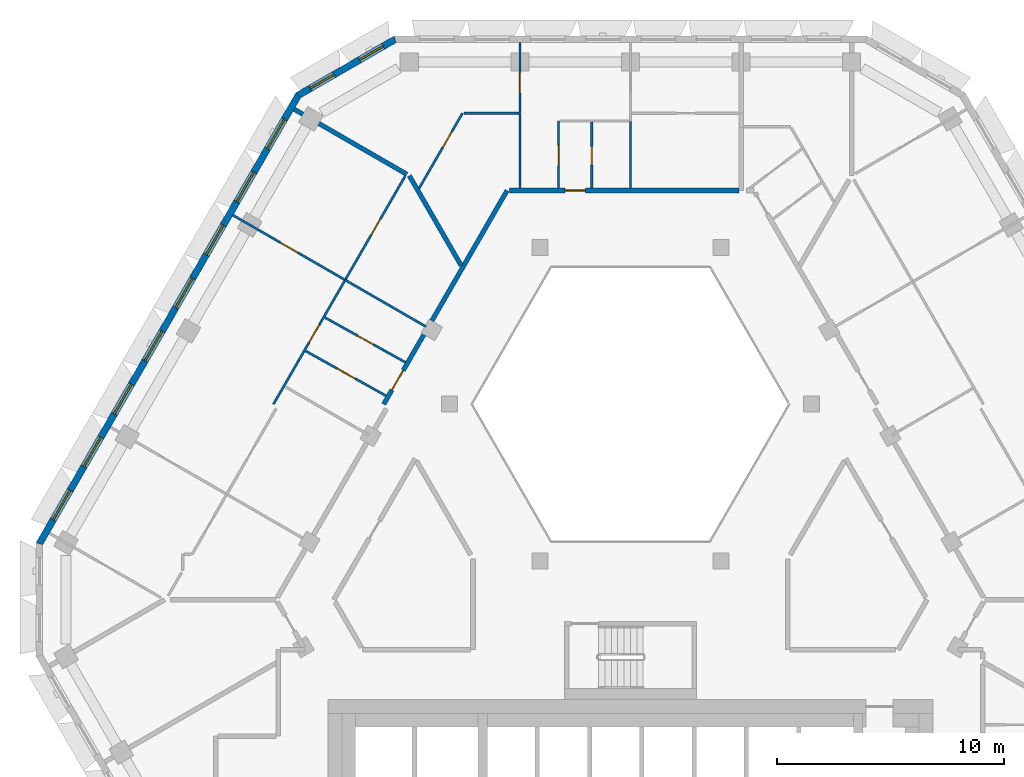
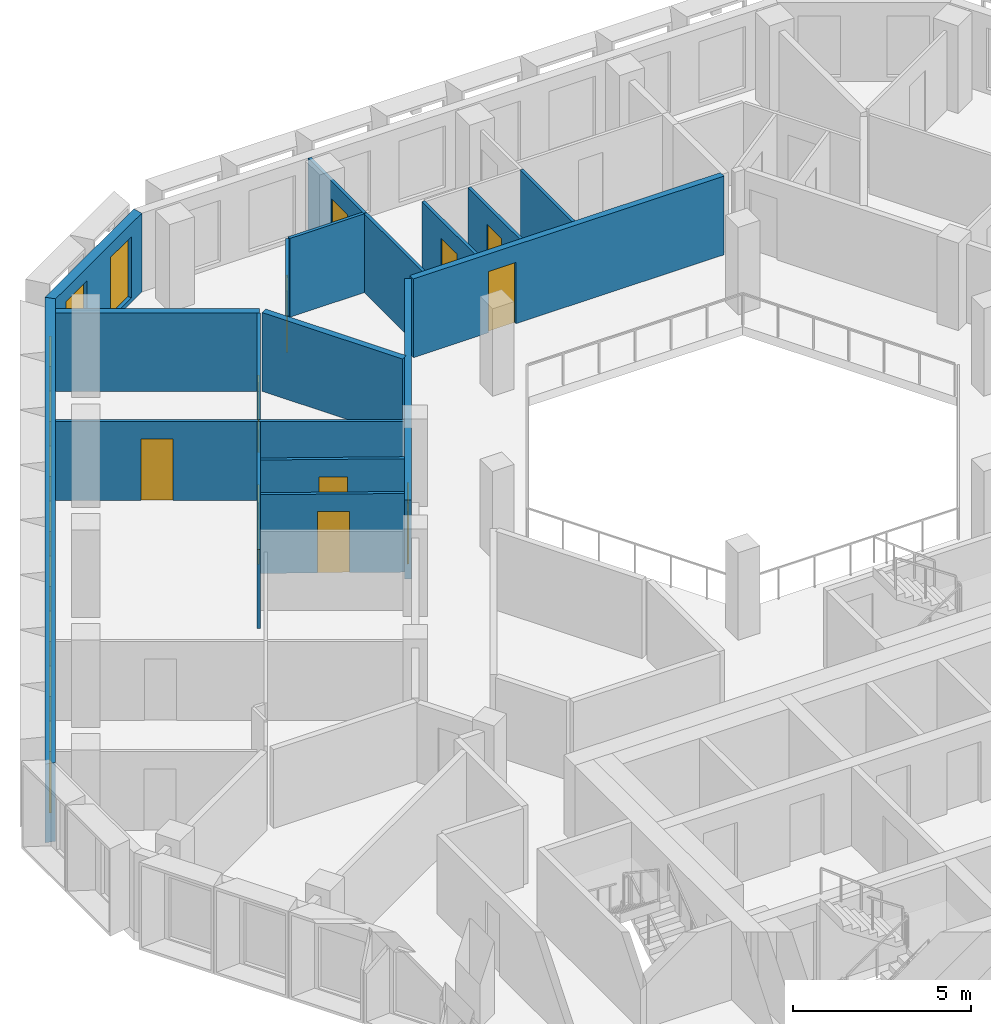
# One storey, part 7 of 17: 18 walls, 11 doors, 10 windows, 21 openings.
"""IFC4 building model written with IfcOpenShell, lengths in metres."""

from ifc_helpers import new_model, si_unit, direction, frame, frame_2d, origin, place, context, subcontext, project, spatial, polyline, rectangle, outline, extrude, material, layer, layer_set, type_object, element, fill, save


model = new_model("IFC4")

# Units and contexts
model_context = context("Model", 3, precision=1e-05, world=origin(), true_north=direction((0.0, 1.0)))
body_context = subcontext(model_context, "Body", "Model", "MODEL_VIEW")
ifc_project = project(units=[si_unit("LENGTHUNIT", "METRE"), si_unit("AREAUNIT", "SQUARE_METRE"), si_unit("VOLUMEUNIT", "CUBIC_METRE"), si_unit("PLANEANGLEUNIT", "RADIAN"), si_unit("MASSUNIT", "GRAM", prefix="KILO")], contexts=[model_context])

# Site, building, storey
site_placement = place(None, origin())
site = spatial("IfcSite", under=ifc_project, at=site_placement, CompositionType="ELEMENT")
building_placement = place(site_placement, origin())
building = spatial("IfcBuilding", under=site, at=building_placement, Name="Beryl Residences", CompositionType="ELEMENT")
storey_placement = place(building_placement, frame((0.0, 0.0, 166.199951171875)))
storey = spatial("IfcBuildingStorey", under=building, at=storey_placement, Name="L50", CompositionType="ELEMENT", Elevation=166.199951171875)

# Wall, openings, windows
ifc_material_1 = material(Name="Composite metal panel with mineral wool insulation")
ifc_layer_1 = layer(ifc_material_1, 0.300048828125)
ifc_layer_set_1 = layer_set([ifc_layer_1], Name="ES1 pale metal composite panel wall 300 mm")
wall_type_1 = type_object("IfcWallType", Name="ES1 pale metal composite panel wall 300 mm", PredefinedType="SOLIDWALL", material=ifc_layer_set_1)
wall_1_placement = place(storey_placement, frame((-10.31689453125, 24.070068359375, 0.0), z_axis=(0.0, 0.0, 1.0), x_axis=(-0.866022959057, -0.500004234368, 0.0)))
wall_1 = element("IfcWall", 1, at=wall_1_placement, inside=storey, type_object=wall_type_1, Name="ES1 external wall L50 N-NW", PredefinedType="SOLIDWALL", context=body_context, shape_type="SweptSolid", body=[
    extrude(outline(polyline([(0.0, -0.14990234375), (5.0, -0.14990234375), (4.919677734375, 0.14990234375), (0.080322265625, 0.14990234375), (0.0, -0.14990234375)])), origin(), (0.0, 0.0, 1.0), 2.699951171875),
])
opening_1_placement = place(wall_1_placement, frame((0.64990234375, 0.0, 0.14990234375)))
opening_1 = element("IfcOpeningElement", 2, at=opening_1_placement, cuts=wall_1, Name="Opening W2", PredefinedType="OPENING", context=body_context, shape_type="SweptSolid", body=[
    extrude(rectangle(XDim=1.199951171875, YDim=2.10009765625, at=frame_2d((0.60009765625, 1.050048828125))), frame((0.0, 0.159912109375, 0.0), z_axis=(0.0, -1.0, 0.0), x_axis=(1.0, 0.0, 0.0)), (0.0, 0.0, 1.0), 0.320068359375),
])
opening_2_placement = place(wall_1_placement, frame((3.14892578125, 0.0, 0.14990234375)))
opening_2 = element("IfcOpeningElement", 3, at=opening_2_placement, cuts=wall_1, Name="Opening W2", PredefinedType="OPENING", context=body_context, shape_type="SweptSolid", body=[
    extrude(rectangle(XDim=1.199951171875, YDim=2.10009765625, at=frame_2d((0.60009765625, 1.050048828125))), frame((0.0, 0.159912109375, 0.0), z_axis=(0.0, -1.0, 0.0), x_axis=(1.0, 0.0, 0.0)), (0.0, 0.0, 1.0), 0.320068359375),
])
ifc_material_2 = material(Name="Aluminium and clear glass", Category="aluminium")
window_type_1 = type_object("IfcWindowType", Name="W2 chamfer window 1200 x 2100 mm", PartitioningType="SINGLE_PANEL", PredefinedType="WINDOW", material=ifc_material_2)
window_1_placement = place(opening_1_placement, origin())
window_1 = element("IfcWindow", 4, at=window_1_placement, inside=storey, type_object=window_type_1, Name="W2 window L50 N-NW 1", OverallHeight=2.10009765625, OverallWidth=1.199951171875, PartitioningType="SINGLE_PANEL", PredefinedType="WINDOW", context=body_context, shape_type="SweptSolid", body=[
    extrude(rectangle(XDim=1.199951171875, YDim=2.10009765625, at=frame_2d((0.60009765625, 1.050048828125))), frame((0.0, 0.030029296875, 0.0), z_axis=(0.0, -1.0, 0.0), x_axis=(1.0, 0.0, 0.0)), (0.0, 0.0, 1.0), 0.06005859375),
])
fill(opening_1, window_1)
window_2_placement = place(opening_2_placement, origin())
window_2 = element("IfcWindow", 5, at=window_2_placement, inside=storey, type_object=window_type_1, Name="W2 window L50 N-NW 2", OverallHeight=2.10009765625, OverallWidth=1.199951171875, PartitioningType="SINGLE_PANEL", PredefinedType="WINDOW", context=body_context, shape_type="SweptSolid", body=[
    extrude(rectangle(XDim=1.199951171875, YDim=2.10009765625, at=frame_2d((0.60009765625, 1.050048828125))), frame((0.0, 0.030029296875, 0.0), z_axis=(0.0, -1.0, 0.0), x_axis=(1.0, 0.0, 0.0)), (0.0, 0.0, 1.0), 0.06005859375),
])
fill(opening_2, window_2)

wall_2_placement = place(storey_placement, frame((-14.592041015625, 21.625, 0.0), z_axis=(0.0, 0.0, 1.0), x_axis=(-0.500010537973, -0.866019319597, 0.0)))
wall_2 = element("IfcWall", 6, at=wall_2_placement, inside=storey, type_object=wall_type_1, Name="ES1 external wall L50 NW", PredefinedType="SOLIDWALL", context=body_context, shape_type="SweptSolid", body=[
    extrude(outline(polyline([(0.0, -0.14990234375), (22.86328125, -0.14990234375), (22.782958984375, 0.14990234375), (0.080322265625, 0.14990234375), (0.0, -0.14990234375)])), origin(), (0.0, 0.0, 1.0), 2.699951171875),
])
opening_3_placement = place(wall_2_placement, frame((1.259033203125, 0.0, 0.14990234375)))
opening_3 = element("IfcOpeningElement", 7, at=opening_3_placement, cuts=wall_2, Name="Opening W1", PredefinedType="OPENING", context=body_context, shape_type="SweptSolid", body=[
    extrude(rectangle(XDim=1.5, YDim=2.10009765625, at=frame_2d((0.75, 1.050048828125))), frame((0.0, 0.159912109375, 0.0), z_axis=(0.0, -1.0, 0.0), x_axis=(1.0, 0.0, 0.0)), (0.0, 0.0, 1.0), 0.320068359375),
])
opening_4_placement = place(wall_2_placement, frame((3.951904296875, 0.0, 0.14990234375)))
opening_4 = element("IfcOpeningElement", 8, at=opening_4_placement, cuts=wall_2, Name="Opening W1", PredefinedType="OPENING", context=body_context, shape_type="SweptSolid", body=[
    extrude(rectangle(XDim=1.5, YDim=2.10009765625, at=frame_2d((0.75, 1.050048828125))), frame((0.0, 0.159912109375, 0.0), z_axis=(0.0, -1.0, 0.0), x_axis=(1.0, 0.0, 0.0)), (0.0, 0.0, 1.0), 0.320068359375),
])
opening_5_placement = place(wall_2_placement, frame((6.64404296875, 0.0, 0.14990234375)))
opening_5 = element("IfcOpeningElement", 9, at=opening_5_placement, cuts=wall_2, Name="Opening W1", PredefinedType="OPENING", context=body_context, shape_type="SweptSolid", body=[
    extrude(rectangle(XDim=1.5, YDim=2.10009765625, at=frame_2d((0.75, 1.050048828125))), frame((0.0, 0.159912109375, 0.0), z_axis=(0.0, -1.0, 0.0), x_axis=(1.0, 0.0, 0.0)), (0.0, 0.0, 1.0), 0.320068359375),
])
opening_6_placement = place(wall_2_placement, frame((9.3349609375, 0.0, 0.14990234375)))
opening_6 = element("IfcOpeningElement", 10, at=opening_6_placement, cuts=wall_2, Name="Opening W1", PredefinedType="OPENING", context=body_context, shape_type="SweptSolid", body=[
    extrude(rectangle(XDim=1.5, YDim=2.10009765625, at=frame_2d((0.75, 1.050048828125))), frame((0.0, 0.159912109375, 0.0), z_axis=(0.0, -1.0, 0.0), x_axis=(1.0, 0.0, 0.0)), (0.0, 0.0, 1.0), 0.320068359375),
])
opening_7_placement = place(wall_2_placement, frame((12.028076171875, 0.0, 0.14990234375)))
opening_7 = element("IfcOpeningElement", 11, at=opening_7_placement, cuts=wall_2, Name="Opening W1", PredefinedType="OPENING", context=body_context, shape_type="SweptSolid", body=[
    extrude(rectangle(XDim=1.5, YDim=2.10009765625, at=frame_2d((0.75, 1.050048828125))), frame((0.0, 0.159912109375, 0.0), z_axis=(0.0, -1.0, 0.0), x_axis=(1.0, 0.0, 0.0)), (0.0, 0.0, 1.0), 0.320068359375),
])
opening_8_placement = place(wall_2_placement, frame((14.719970703125, 0.0, 0.14990234375)))
opening_8 = element("IfcOpeningElement", 12, at=opening_8_placement, cuts=wall_2, Name="Opening W1", PredefinedType="OPENING", context=body_context, shape_type="SweptSolid", body=[
    extrude(rectangle(XDim=1.5, YDim=2.10009765625, at=frame_2d((0.75, 1.050048828125))), frame((0.0, 0.159912109375, 0.0), z_axis=(0.0, -1.0, 0.0), x_axis=(1.0, 0.0, 0.0)), (0.0, 0.0, 1.0), 0.320068359375),
])
opening_9_placement = place(wall_2_placement, frame((17.410888671875, 0.0, 0.14990234375)))
opening_9 = element("IfcOpeningElement", 13, at=opening_9_placement, cuts=wall_2, Name="Opening W1", PredefinedType="OPENING", context=body_context, shape_type="SweptSolid", body=[
    extrude(rectangle(XDim=1.5, YDim=2.10009765625, at=frame_2d((0.75, 1.050048828125))), frame((0.0, 0.159912109375, 0.0), z_axis=(0.0, -1.0, 0.0), x_axis=(1.0, 0.0, 0.0)), (0.0, 0.0, 1.0), 0.320068359375),
])
opening_10_placement = place(wall_2_placement, frame((20.10400390625, 0.0, 0.14990234375)))
opening_10 = element("IfcOpeningElement", 14, at=opening_10_placement, cuts=wall_2, Name="Opening W1", PredefinedType="OPENING", context=body_context, shape_type="SweptSolid", body=[
    extrude(rectangle(XDim=1.5, YDim=2.10009765625, at=frame_2d((0.75, 1.050048828125))), frame((0.0, 0.159912109375, 0.0), z_axis=(0.0, -1.0, 0.0), x_axis=(1.0, 0.0, 0.0)), (0.0, 0.0, 1.0), 0.320068359375),
])
ifc_material_3 = material(Name="Aluminium and clear glass", Category="aluminium")
window_type_2 = type_object("IfcWindowType", Name="W1 cell window 1500 x 2100 mm", PartitioningType="SINGLE_PANEL", PredefinedType="WINDOW", material=ifc_material_3)
window_3_placement = place(opening_3_placement, origin())
window_3 = element("IfcWindow", 15, at=window_3_placement, inside=storey, type_object=window_type_2, Name="W1 window L50 NW 1", OverallHeight=2.10009765625, OverallWidth=1.5, PartitioningType="SINGLE_PANEL", PredefinedType="WINDOW", context=body_context, shape_type="SweptSolid", body=[
    extrude(rectangle(XDim=1.5, YDim=2.10009765625, at=frame_2d((0.75, 1.050048828125))), frame((0.0, 0.030029296875, 0.0), z_axis=(0.0, -1.0, 0.0), x_axis=(1.0, 0.0, 0.0)), (0.0, 0.0, 1.0), 0.06005859375),
])
fill(opening_3, window_3)
window_4_placement = place(opening_4_placement, origin())
window_4 = element("IfcWindow", 16, at=window_4_placement, inside=storey, type_object=window_type_2, Name="W1 window L50 NW 2", OverallHeight=2.10009765625, OverallWidth=1.5, PartitioningType="SINGLE_PANEL", PredefinedType="WINDOW", context=body_context, shape_type="SweptSolid", body=[
    extrude(rectangle(XDim=1.5, YDim=2.10009765625, at=frame_2d((0.75, 1.050048828125))), frame((0.0, 0.030029296875, 0.0), z_axis=(0.0, -1.0, 0.0), x_axis=(1.0, 0.0, 0.0)), (0.0, 0.0, 1.0), 0.06005859375),
])
fill(opening_4, window_4)
window_5_placement = place(opening_5_placement, origin())
window_5 = element("IfcWindow", 17, at=window_5_placement, inside=storey, type_object=window_type_2, Name="W1 window L50 NW 3", OverallHeight=2.10009765625, OverallWidth=1.5, PartitioningType="SINGLE_PANEL", PredefinedType="WINDOW", context=body_context, shape_type="SweptSolid", body=[
    extrude(rectangle(XDim=1.5, YDim=2.10009765625, at=frame_2d((0.75, 1.050048828125))), frame((0.0, 0.030029296875, 0.0), z_axis=(0.0, -1.0, 0.0), x_axis=(1.0, 0.0, 0.0)), (0.0, 0.0, 1.0), 0.06005859375),
])
fill(opening_5, window_5)
window_6_placement = place(opening_6_placement, origin())
window_6 = element("IfcWindow", 18, at=window_6_placement, inside=storey, type_object=window_type_2, Name="W1 window L50 NW 4", OverallHeight=2.10009765625, OverallWidth=1.5, PartitioningType="SINGLE_PANEL", PredefinedType="WINDOW", context=body_context, shape_type="SweptSolid", body=[
    extrude(rectangle(XDim=1.5, YDim=2.10009765625, at=frame_2d((0.75, 1.050048828125))), frame((0.0, 0.030029296875, 0.0), z_axis=(0.0, -1.0, 0.0), x_axis=(1.0, 0.0, 0.0)), (0.0, 0.0, 1.0), 0.06005859375),
])
fill(opening_6, window_6)
window_7_placement = place(opening_7_placement, origin())
window_7 = element("IfcWindow", 19, at=window_7_placement, inside=storey, type_object=window_type_2, Name="W1 window L50 NW 5", OverallHeight=2.10009765625, OverallWidth=1.5, PartitioningType="SINGLE_PANEL", PredefinedType="WINDOW", context=body_context, shape_type="SweptSolid", body=[
    extrude(rectangle(XDim=1.5, YDim=2.10009765625, at=frame_2d((0.75, 1.050048828125))), frame((0.0, 0.030029296875, 0.0), z_axis=(0.0, -1.0, 0.0), x_axis=(1.0, 0.0, 0.0)), (0.0, 0.0, 1.0), 0.06005859375),
])
fill(opening_7, window_7)
window_8_placement = place(opening_8_placement, origin())
window_8 = element("IfcWindow", 20, at=window_8_placement, inside=storey, type_object=window_type_2, Name="W1 window L50 NW 6", OverallHeight=2.10009765625, OverallWidth=1.5, PartitioningType="SINGLE_PANEL", PredefinedType="WINDOW", context=body_context, shape_type="SweptSolid", body=[
    extrude(rectangle(XDim=1.5, YDim=2.10009765625, at=frame_2d((0.75, 1.050048828125))), frame((0.0, 0.030029296875, 0.0), z_axis=(0.0, -1.0, 0.0), x_axis=(1.0, 0.0, 0.0)), (0.0, 0.0, 1.0), 0.06005859375),
])
fill(opening_8, window_8)
window_9_placement = place(opening_9_placement, origin())
window_9 = element("IfcWindow", 21, at=window_9_placement, inside=storey, type_object=window_type_2, Name="W1 window L50 NW 7", OverallHeight=2.10009765625, OverallWidth=1.5, PartitioningType="SINGLE_PANEL", PredefinedType="WINDOW", context=body_context, shape_type="SweptSolid", body=[
    extrude(rectangle(XDim=1.5, YDim=2.10009765625, at=frame_2d((0.75, 1.050048828125))), frame((0.0, 0.030029296875, 0.0), z_axis=(0.0, -1.0, 0.0), x_axis=(1.0, 0.0, 0.0)), (0.0, 0.0, 1.0), 0.06005859375),
])
fill(opening_9, window_9)
window_10_placement = place(opening_10_placement, origin())
window_10 = element("IfcWindow", 22, at=window_10_placement, inside=storey, type_object=window_type_2, Name="W1 window L50 NW 8", OverallHeight=2.10009765625, OverallWidth=1.5, PartitioningType="SINGLE_PANEL", PredefinedType="WINDOW", context=body_context, shape_type="SweptSolid", body=[
    extrude(rectangle(XDim=1.5, YDim=2.10009765625, at=frame_2d((0.75, 1.050048828125))), frame((0.0, 0.030029296875, 0.0), z_axis=(0.0, -1.0, 0.0), x_axis=(1.0, 0.0, 0.0)), (0.0, 0.0, 1.0), 0.06005859375),
])
fill(opening_10, window_10)

# Walls
ifc_material_4 = material(Name="Gypsum board partition on steel studs", Category="steel")
ifc_layer_2 = layer(ifc_material_4, 0.10009765625)
ifc_layer_set_2 = layer_set([ifc_layer_2], Name="PT1 partition 100 mm gypsum board on steel studs")
wall_type_2 = type_object("IfcWallType", Name="PT1 partition 100 mm gypsum board on steel studs", PredefinedType="PARTITIONING", material=ifc_layer_set_2)
wall_3_placement = place(storey_placement, frame((-4.864013671875, 20.76904296875, 0.0), z_axis=(0.0, 0.0, 1.0), x_axis=(0.0, -1.0, 0.0)))
element("IfcWall", 23, at=wall_3_placement, inside=storey, type_object=wall_type_2, Name="Wall PT1 L50 005", PredefinedType="PARTITIONING", context=body_context, shape_type="SweptSolid", body=[
    extrude(rectangle(XDim=3.26904296875, YDim=0.10009765625, at=frame_2d((1.634521484375, 0.0))), origin(), (0.0, 0.0, 1.0), 2.699951171875),
])
wall_4_placement = place(storey_placement, frame((0.0, 20.429931640625, 0.0), z_axis=(0.0, 0.0, 1.0), x_axis=(0.0, -1.0, 0.0)))
element("IfcWall", 24, at=wall_4_placement, inside=storey, type_object=wall_type_2, Name="Wall PT1 L50 006", PredefinedType="PARTITIONING", context=body_context, shape_type="SweptSolid", body=[
    extrude(rectangle(XDim=2.929931640625, YDim=0.10009765625, at=frame_2d((1.46484375, 0.0))), origin(), (0.0, 0.0, 1.0), 2.699951171875),
])

# Wall, opening, door
wall_5_placement = place(storey_placement, frame((-13.444091796875, 11.81396484375, 0.0), z_axis=(0.0, 0.0, 1.0), x_axis=(0.873653620945, -0.486548405207, 0.0)))
wall_5 = element("IfcWall", 25, at=wall_5_placement, inside=storey, type_object=wall_type_2, Name="Wall PT1 L50 007", PredefinedType="PARTITIONING", context=body_context, shape_type="SweptSolid", body=[
    extrude(rectangle(XDim=4.05078125, YDim=0.10009765625, at=frame_2d((2.025390625, 0.0))), origin(), (0.0, 0.0, 1.0), 2.699951171875),
])
opening_11_placement = place(wall_5_placement, frame((1.64990234375, 0.0, 0.0)))
opening_11 = element("IfcOpeningElement", 26, at=opening_11_placement, cuts=wall_5, Name="Opening D1409", PredefinedType="OPENING", context=body_context, shape_type="SweptSolid", body=[
    extrude(rectangle(XDim=0.800048828125, YDim=2.10009765625, at=frame_2d((0.39990234375, 1.050048828125))), frame((0.0, 0.06005859375, 0.0), z_axis=(0.0, -1.0, 0.0), x_axis=(1.0, 0.0, 0.0)), (0.0, 0.0, 1.0), 0.1201171875),
])
ifc_material_5 = material(Name="Timber door leaf", Category="wood")
door_type_1 = type_object("IfcDoorType", Name="D3 bathroom door 800 x 2100 mm", OperationType="SINGLE_SWING_LEFT", PredefinedType="DOOR", material=ifc_material_5)
door_1_placement = place(opening_11_placement, origin())
door_1 = element("IfcDoor", 27, at=door_1_placement, inside=storey, type_object=door_type_1, Name="Door D1409 L50 001", OperationType="SINGLE_SWING_LEFT", OverallHeight=2.10009765625, OverallWidth=0.800048828125, PredefinedType="DOOR", context=body_context, shape_type="SweptSolid", body=[
    extrude(rectangle(XDim=0.800048828125, YDim=2.10009765625, at=frame_2d((0.39990234375, 1.050048828125))), frame((0.0, 0.02490234375, 0.0), z_axis=(0.0, -1.0, 0.0), x_axis=(1.0, 0.0, 0.0)), (0.0, 0.0, 1.0), 0.050048828125),
])
fill(opening_11, door_1)

wall_6_placement = place(storey_placement, frame((-14.2939453125, 10.342041015625, 0.0), z_axis=(0.0, 0.0, 1.0), x_axis=(0.873582256032, -0.486676527013, 0.0)))
wall_6 = element("IfcWall", 28, at=wall_6_placement, inside=storey, type_object=wall_type_2, Name="Wall PT1 L50 008", PredefinedType="PARTITIONING", context=body_context, shape_type="SweptSolid", body=[
    extrude(rectangle(XDim=4.0498046875, YDim=0.10009765625, at=frame_2d((2.02490234375, 0.0))), origin(), (0.0, 0.0, 1.0), 2.699951171875),
])
opening_12_placement = place(wall_6_placement, frame((1.60009765625, 0.0, 0.0)))
opening_12 = element("IfcOpeningElement", 29, at=opening_12_placement, cuts=wall_6, Name="Opening D1410", PredefinedType="OPENING", context=body_context, shape_type="SweptSolid", body=[
    extrude(rectangle(XDim=0.89990234375, YDim=2.10009765625, at=frame_2d((0.449951171875, 1.050048828125))), frame((0.0, 0.06005859375, 0.0), z_axis=(0.0, -1.0, 0.0), x_axis=(1.0, 0.0, 0.0)), (0.0, 0.0, 1.0), 0.1201171875),
])
ifc_material_6 = material(Name="Timber door leaf", Category="wood")
door_type_2 = type_object("IfcDoorType", Name="D2 room door 900 x 2100 mm", OperationType="SINGLE_SWING_LEFT", PredefinedType="DOOR", material=ifc_material_6)
door_2_placement = place(opening_12_placement, origin())
door_2 = element("IfcDoor", 30, at=door_2_placement, inside=storey, type_object=door_type_2, Name="Door D1410 L50 001", OperationType="SINGLE_SWING_RIGHT", OverallHeight=2.10009765625, OverallWidth=0.89990234375, PredefinedType="DOOR", context=body_context, shape_type="SweptSolid", body=[
    extrude(rectangle(XDim=0.89990234375, YDim=2.10009765625, at=frame_2d((0.449951171875, 1.050048828125))), frame((0.0, 0.02490234375, 0.0), z_axis=(0.0, -1.0, 0.0), x_axis=(1.0, 0.0, 0.0)), (0.0, 0.0, 1.0), 0.050048828125),
])
fill(opening_12, door_2)

wall_7_placement = place(storey_placement, frame((-17.486083984375, 16.31298828125, 0.0), z_axis=(0.0, 0.0, 1.0), x_axis=(0.866004402611, -0.500036373335, 0.0)))
wall_7 = element("IfcWall", 31, at=wall_7_placement, inside=storey, type_object=wall_type_2, Name="Wall PT1 L50 012", PredefinedType="PARTITIONING", context=body_context, shape_type="SweptSolid", body=[
    extrude(rectangle(XDim=5.69970703125, YDim=0.10009765625, at=frame_2d((2.849853515625, 0.0))), origin(), (0.0, 0.0, 1.0), 2.699951171875),
])
opening_13_placement = place(wall_7_placement, frame((2.39990234375, 0.0, 0.0)))
opening_13 = element("IfcOpeningElement", 32, at=opening_13_placement, cuts=wall_7, Name="Opening D1413", PredefinedType="OPENING", context=body_context, shape_type="SweptSolid", body=[
    extrude(rectangle(XDim=0.89990234375, YDim=2.10009765625, at=frame_2d((0.449951171875, 1.050048828125))), frame((0.0, 0.06005859375, 0.0), z_axis=(0.0, -1.0, 0.0), x_axis=(1.0, 0.0, 0.0)), (0.0, 0.0, 1.0), 0.1201171875),
])
door_3_placement = place(opening_13_placement, origin())
door_3 = element("IfcDoor", 33, at=door_3_placement, inside=storey, type_object=door_type_2, Name="Door D1413 L50 001", OperationType="SINGLE_SWING_LEFT", OverallHeight=2.10009765625, OverallWidth=0.89990234375, PredefinedType="DOOR", context=body_context, shape_type="SweptSolid", body=[
    extrude(rectangle(XDim=0.89990234375, YDim=2.10009765625, at=frame_2d((0.449951171875, 1.050048828125))), frame((0.0, 0.02490234375, 0.0), z_axis=(0.0, -1.0, 0.0), x_axis=(1.0, 0.0, 0.0)), (0.0, 0.0, 1.0), 0.050048828125),
])
fill(opening_13, door_3)

# Wall
wall_8_placement = place(storey_placement, frame((-7.3310546875, 20.799072265625, 0.0), z_axis=(0.0, 0.0, 1.0), x_axis=(1.0, 0.0, 0.0)))
element("IfcWall", 34, at=wall_8_placement, inside=storey, type_object=wall_type_2, Name="Wall PT1 L50 019", PredefinedType="PARTITIONING", context=body_context, shape_type="SweptSolid", body=[
    extrude(rectangle(XDim=2.4169921875, YDim=0.10009765625, at=frame_2d((1.20849609375, 0.0))), origin(), (0.0, 0.0, 1.0), 2.699951171875),
])

# Wall, opening, door
wall_9_placement = place(storey_placement, frame((-9.294921875, 17.5, 0.0), z_axis=(0.0, 0.0, 1.0), x_axis=(0.500060839138, 0.865990275442, 0.0)))
wall_9 = element("IfcWall", 35, at=wall_9_placement, inside=storey, type_object=wall_type_2, Name="Wall PT1 L50 021", PredefinedType="PARTITIONING", context=body_context, shape_type="SweptSolid", body=[
    extrude(rectangle(XDim=3.8095703125, YDim=0.10009765625, at=frame_2d((1.90478515625, 0.0))), origin(), (0.0, 0.0, 1.0), 2.699951171875),
])
opening_14_placement = place(wall_9_placement, frame((2.0791015625, 0.0, 0.0)))
opening_14 = element("IfcOpeningElement", 36, at=opening_14_placement, cuts=wall_9, Name="Opening D1407", PredefinedType="OPENING", context=body_context, shape_type="SweptSolid", body=[
    extrude(rectangle(XDim=0.800048828125, YDim=2.10009765625, at=frame_2d((0.39990234375, 1.050048828125))), frame((0.0, 0.06005859375, 0.0), z_axis=(0.0, -1.0, 0.0), x_axis=(1.0, 0.0, 0.0)), (0.0, 0.0, 1.0), 0.1201171875),
])
door_4_placement = place(opening_14_placement, origin())
door_4 = element("IfcDoor", 37, at=door_4_placement, inside=storey, type_object=door_type_1, Name="Door D1407 L50 001", OperationType="SINGLE_SWING_LEFT", OverallHeight=2.10009765625, OverallWidth=0.800048828125, PredefinedType="DOOR", context=body_context, shape_type="SweptSolid", body=[
    extrude(rectangle(XDim=0.800048828125, YDim=2.10009765625, at=frame_2d((0.39990234375, 1.050048828125))), frame((0.0, 0.02490234375, 0.0), z_axis=(0.0, -1.0, 0.0), x_axis=(1.0, 0.0, 0.0)), (0.0, 0.0, 1.0), 0.050048828125),
])
fill(opening_14, door_4)

# Wall, openings, doors
wall_10_placement = place(storey_placement, frame((-15.7041015625, 8.0, 0.0), z_axis=(0.0, 0.0, 1.0), x_axis=(0.500005637941, 0.866022148693, 0.0)))
wall_10 = element("IfcWall", 38, at=wall_10_placement, inside=storey, type_object=wall_type_2, Name="Wall PT1 L50 024", PredefinedType="PARTITIONING", context=body_context, shape_type="SweptSolid", body=[
    extrude(rectangle(XDim=11.592041015625, YDim=0.10009765625, at=frame_2d((5.7958984375, 0.0))), origin(), (0.0, 0.0, 1.0), 2.699951171875),
])
opening_15_placement = place(wall_10_placement, frame((3.132080078125, 0.0, 0.0)))
opening_15 = element("IfcOpeningElement", 39, at=opening_15_placement, cuts=wall_10, Name="Opening D1411", PredefinedType="OPENING", context=body_context, shape_type="SweptSolid", body=[
    extrude(rectangle(XDim=0.89990234375, YDim=2.10009765625, at=frame_2d((0.449951171875, 1.050048828125))), frame((0.0, 0.06005859375, 0.0), z_axis=(0.0, -1.0, 0.0), x_axis=(1.0, 0.0, 0.0)), (0.0, 0.0, 1.0), 0.1201171875),
])
opening_16_placement = place(wall_10_placement, frame((8.60009765625, 0.0, 0.0)))
opening_16 = element("IfcOpeningElement", 40, at=opening_16_placement, cuts=wall_10, Name="Opening D1416", PredefinedType="OPENING", context=body_context, shape_type="SweptSolid", body=[
    extrude(rectangle(XDim=0.800048828125, YDim=2.10009765625, at=frame_2d((0.39990234375, 1.050048828125))), frame((0.0, 0.06005859375, 0.0), z_axis=(0.0, -1.0, 0.0), x_axis=(1.0, 0.0, 0.0)), (0.0, 0.0, 1.0), 0.1201171875),
])
door_5_placement = place(opening_15_placement, origin())
door_5 = element("IfcDoor", 41, at=door_5_placement, inside=storey, type_object=door_type_2, Name="Door D1411 L50 001", OperationType="SINGLE_SWING_LEFT", OverallHeight=2.10009765625, OverallWidth=0.89990234375, PredefinedType="DOOR", context=body_context, shape_type="SweptSolid", body=[
    extrude(rectangle(XDim=0.89990234375, YDim=2.10009765625, at=frame_2d((0.449951171875, 1.050048828125))), frame((0.0, 0.02490234375, 0.0), z_axis=(0.0, -1.0, 0.0), x_axis=(1.0, 0.0, 0.0)), (0.0, 0.0, 1.0), 0.050048828125),
])
fill(opening_15, door_5)
door_6_placement = place(opening_16_placement, origin())
door_6 = element("IfcDoor", 42, at=door_6_placement, inside=storey, type_object=door_type_1, Name="Door D1416 L50 001", OperationType="SINGLE_SWING_RIGHT", OverallHeight=2.10009765625, OverallWidth=0.800048828125, PredefinedType="DOOR", context=body_context, shape_type="SweptSolid", body=[
    extrude(rectangle(XDim=0.800048828125, YDim=2.10009765625, at=frame_2d((0.39990234375, 1.050048828125))), frame((0.0, 0.02490234375, 0.0), z_axis=(0.0, -1.0, 0.0), x_axis=(1.0, 0.0, 0.0)), (0.0, 0.0, 1.0), 0.050048828125),
])
fill(opening_16, door_6)

# Wall, opening, door
wall_11_placement = place(storey_placement, frame((-3.162109375, 17.5, 0.0), z_axis=(0.0, 0.0, 1.0), x_axis=(0.0, 1.0, 0.0)))
wall_11 = element("IfcWall", 43, at=wall_11_placement, inside=storey, type_object=wall_type_2, Name="Wall PT1 L50 028", PredefinedType="PARTITIONING", context=body_context, shape_type="SweptSolid", body=[
    extrude(rectangle(XDim=2.958984375, YDim=0.10009765625, at=frame_2d((1.4794921875, 0.0))), origin(), (0.0, 0.0, 1.0), 2.699951171875),
])
opening_17_placement = place(wall_11_placement, frame((0.97998046875, 0.0, 0.0)))
opening_17 = element("IfcOpeningElement", 44, at=opening_17_placement, cuts=wall_11, Name="Opening D1402", PredefinedType="OPENING", context=body_context, shape_type="SweptSolid", body=[
    extrude(rectangle(XDim=0.89990234375, YDim=2.10009765625, at=frame_2d((0.449951171875, 1.050048828125))), frame((0.0, 0.06005859375, 0.0), z_axis=(0.0, -1.0, 0.0), x_axis=(1.0, 0.0, 0.0)), (0.0, 0.0, 1.0), 0.1201171875),
])
door_7_placement = place(opening_17_placement, origin())
door_7 = element("IfcDoor", 45, at=door_7_placement, inside=storey, type_object=door_type_2, Name="Door D1402 L50 001", OperationType="SINGLE_SWING_RIGHT", OverallHeight=2.10009765625, OverallWidth=0.89990234375, PredefinedType="DOOR", context=body_context, shape_type="SweptSolid", body=[
    extrude(rectangle(XDim=0.89990234375, YDim=2.10009765625, at=frame_2d((0.449951171875, 1.050048828125))), frame((0.0, 0.02490234375, 0.0), z_axis=(0.0, -1.0, 0.0), x_axis=(1.0, 0.0, 0.0)), (0.0, 0.0, 1.0), 0.050048828125),
])
fill(opening_17, door_7)

wall_12_placement = place(storey_placement, frame((-4.864013671875, 20.779052734375, 0.0), z_axis=(0.0, 0.0, 1.0), x_axis=(0.0, 1.0, 0.0)))
wall_12 = element("IfcWall", 46, at=wall_12_placement, inside=storey, type_object=wall_type_2, Name="Wall PT1 L50 029", PredefinedType="PARTITIONING", context=body_context, shape_type="SweptSolid", body=[
    extrude(rectangle(XDim=3.120849609375, YDim=0.10009765625, at=frame_2d((1.560546875, 0.0))), origin(), (0.0, 0.0, 1.0), 2.699951171875),
])
opening_18_placement = place(wall_12_placement, frame((0.909912109375, 0.0, 0.0)))
opening_18 = element("IfcOpeningElement", 47, at=opening_18_placement, cuts=wall_12, Name="Opening D1404", PredefinedType="OPENING", context=body_context, shape_type="SweptSolid", body=[
    extrude(rectangle(XDim=0.89990234375, YDim=2.10009765625, at=frame_2d((0.449951171875, 1.050048828125))), frame((0.0, 0.06005859375, 0.0), z_axis=(0.0, -1.0, 0.0), x_axis=(1.0, 0.0, 0.0)), (0.0, 0.0, 1.0), 0.1201171875),
])
door_8_placement = place(opening_18_placement, origin())
door_8 = element("IfcDoor", 48, at=door_8_placement, inside=storey, type_object=door_type_2, Name="Door D1404 L50 001", OperationType="SINGLE_SWING_RIGHT", OverallHeight=2.10009765625, OverallWidth=0.89990234375, PredefinedType="DOOR", context=body_context, shape_type="SweptSolid", body=[
    extrude(rectangle(XDim=0.89990234375, YDim=2.10009765625, at=frame_2d((0.449951171875, 1.050048828125))), frame((0.0, 0.02490234375, 0.0), z_axis=(0.0, -1.0, 0.0), x_axis=(1.0, 0.0, 0.0)), (0.0, 0.0, 1.0), 0.050048828125),
])
fill(opening_18, door_8)

wall_13_placement = place(storey_placement, frame((-1.701904296875, 17.5, 0.0), z_axis=(0.0, 0.0, 1.0), x_axis=(0.0, 1.0, 0.0)))
wall_13 = element("IfcWall", 49, at=wall_13_placement, inside=storey, type_object=wall_type_2, Name="Wall PT1 L50 030", PredefinedType="PARTITIONING", context=body_context, shape_type="SweptSolid", body=[
    extrude(rectangle(XDim=2.909912109375, YDim=0.10009765625, at=frame_2d((1.455078125, 0.0))), origin(), (0.0, 0.0, 1.0), 2.699951171875),
])
opening_19_placement = place(wall_13_placement, frame((1.030029296875, 0.0, 0.0)))
opening_19 = element("IfcOpeningElement", 50, at=opening_19_placement, cuts=wall_13, Name="Opening D1403", PredefinedType="OPENING", context=body_context, shape_type="SweptSolid", body=[
    extrude(rectangle(XDim=0.800048828125, YDim=2.10009765625, at=frame_2d((0.39990234375, 1.050048828125))), frame((0.0, 0.06005859375, 0.0), z_axis=(0.0, -1.0, 0.0), x_axis=(1.0, 0.0, 0.0)), (0.0, 0.0, 1.0), 0.1201171875),
])
door_9_placement = place(opening_19_placement, origin())
door_9 = element("IfcDoor", 51, at=door_9_placement, inside=storey, type_object=door_type_1, Name="Door D1403 L50 001", OperationType="SINGLE_SWING_LEFT", OverallHeight=2.10009765625, OverallWidth=0.800048828125, PredefinedType="DOOR", context=body_context, shape_type="SweptSolid", body=[
    extrude(rectangle(XDim=0.800048828125, YDim=2.10009765625, at=frame_2d((0.39990234375, 1.050048828125))), frame((0.0, 0.02490234375, 0.0), z_axis=(0.0, -1.0, 0.0), x_axis=(1.0, 0.0, 0.0)), (0.0, 0.0, 1.0), 0.050048828125),
])
fill(opening_19, door_9)

# Walls
wall_14_placement = place(storey_placement, frame((-12.550048828125, 13.462890625, 0.0), z_axis=(0.0, 0.0, 1.0), x_axis=(0.86606561423, -0.499930346997, 0.0)))
element("IfcWall", 52, at=wall_14_placement, inside=storey, type_object=wall_type_2, Name="Wall PT1 L50 041", PredefinedType="PARTITIONING", context=body_context, shape_type="SweptSolid", body=[
    extrude(rectangle(XDim=4.10009765625, YDim=0.10009765625, at=frame_2d((2.050048828125, 0.0))), origin(), (0.0, 0.0, 1.0), 2.699951171875),
])
ifc_material_7 = material(Name="Acoustic double stud gypsum board wall")
ifc_layer_3 = layer(ifc_material_7, 0.199951171875)
ifc_layer_set_3 = layer_set([ifc_layer_3], Name="PT3 party wall 200 mm acoustic double stud")
wall_type_3 = type_object("IfcWallType", Name="PT3 party wall 200 mm acoustic double stud", PredefinedType="PARTITIONING", material=ifc_layer_set_3)
wall_15_placement = place(storey_placement, frame((-9.72802734375, 18.050048828125, 0.0), z_axis=(0.0, 0.0, 1.0), x_axis=(0.499921709333, -0.866070600204, 0.0)))
element("IfcWall", 53, at=wall_15_placement, inside=storey, type_object=wall_type_3, Name="Wall PT3 L50 001", PredefinedType="PARTITIONING", context=body_context, shape_type="SweptSolid", body=[
    extrude(rectangle(XDim=4.560791015625, YDim=0.199951171875, at=frame_2d((2.2802734375, 0.0))), origin(), (0.0, 0.0, 1.0), 2.699951171875),
])
wall_16_placement = place(storey_placement, frame((-14.7939453125, 20.97509765625, 0.0), z_axis=(0.0, 0.0, 1.0), x_axis=(0.865982978614, -0.500073475352, 0.0)))
element("IfcWall", 54, at=wall_16_placement, inside=storey, type_object=wall_type_3, Name="Wall PT3 L50 006", PredefinedType="PARTITIONING", context=body_context, shape_type="SweptSolid", body=[
    extrude(rectangle(XDim=5.719482421875, YDim=0.199951171875, at=frame_2d((2.85986328125, 0.0))), origin(), (0.0, 0.0, 1.0), 2.699951171875),
])

# Wall, opening, door
ifc_material_8 = material(Name="Double stud gypsum board wall")
ifc_layer_4 = layer(ifc_material_8, 0.199951171875)
ifc_layer_set_4 = layer_set([ifc_layer_4], Name="PT4 corridor wall 200 mm double stud")
wall_type_4 = type_object("IfcWallType", Name="PT4 corridor wall 200 mm double stud", PredefinedType="PARTITIONING", material=ifc_layer_set_4)
wall_17_placement = place(storey_placement, frame((-5.31103515625, 17.39990234375, 0.0), z_axis=(0.0, 0.0, 1.0), x_axis=(1.0, 0.0, 0.0)))
wall_17 = element("IfcWall", 55, at=wall_17_placement, inside=storey, type_object=wall_type_4, Name="Wall PT4 L50 014", PredefinedType="PARTITIONING", context=body_context, shape_type="SweptSolid", body=[
    extrude(rectangle(XDim=10.074951171875, YDim=0.199951171875, at=frame_2d((5.03759765625, 0.0))), origin(), (0.0, 0.0, 1.0), 2.699951171875),
])
opening_20_placement = place(wall_17_placement, frame((2.428955078125, 0.0, 0.0)))
opening_20 = element("IfcOpeningElement", 56, at=opening_20_placement, cuts=wall_17, Name="Opening D1401", PredefinedType="OPENING", context=body_context, shape_type="SweptSolid", body=[
    extrude(rectangle(XDim=0.89990234375, YDim=2.10009765625, at=frame_2d((0.449951171875, 1.050048828125))), frame((0.0, 0.10986328125, 0.0), z_axis=(0.0, -1.0, 0.0), x_axis=(1.0, 0.0, 0.0)), (0.0, 0.0, 1.0), 0.219970703125),
])
ifc_material_9 = material(Name="Timber door leaf", Category="wood")
door_type_3 = type_object("IfcDoorType", Name="D11 flat entrance door 900 x 2100 mm", OperationType="SINGLE_SWING_LEFT", PredefinedType="DOOR", material=ifc_material_9)
door_10_placement = place(opening_20_placement, origin())
door_10 = element("IfcDoor", 57, at=door_10_placement, inside=storey, type_object=door_type_3, Name="Door D1401 L50 001", OperationType="SINGLE_SWING_LEFT", OverallHeight=2.10009765625, OverallWidth=0.89990234375, PredefinedType="DOOR", context=body_context, shape_type="SweptSolid", body=[
    extrude(rectangle(XDim=0.89990234375, YDim=2.10009765625, at=frame_2d((0.449951171875, 1.050048828125))), frame((0.0, 0.02490234375, 0.0), z_axis=(0.0, -1.0, 0.0), x_axis=(1.0, 0.0, 0.0)), (0.0, 0.0, 1.0), 0.050048828125),
])
fill(opening_20, door_10)

wall_18_placement = place(storey_placement, frame((-10.85400390625, 8.0, 0.0), z_axis=(0.0, 0.0, 1.0), x_axis=(0.499997637144, 0.866026767976, 0.0)))
wall_18 = element("IfcWall", 58, at=wall_18_placement, inside=storey, type_object=wall_type_4, Name="Wall PT4 L50 021", PredefinedType="PARTITIONING", context=body_context, shape_type="SweptSolid", body=[
    extrude(rectangle(XDim=10.85400390625, YDim=0.199951171875, at=frame_2d((5.427001953125, 0.0))), origin(), (0.0, 0.0, 1.0), 2.699951171875),
])
opening_21_placement = place(wall_18_placement, frame((0.720947265625, 0.0, 0.0)))
opening_21 = element("IfcOpeningElement", 59, at=opening_21_placement, cuts=wall_18, Name="Opening D1408", PredefinedType="OPENING", context=body_context, shape_type="SweptSolid", body=[
    extrude(rectangle(XDim=1.0, YDim=2.10009765625, at=frame_2d((0.5, 1.050048828125))), frame((0.0, 0.10986328125, 0.0), z_axis=(0.0, -1.0, 0.0), x_axis=(1.0, 0.0, 0.0)), (0.0, 0.0, 1.0), 0.219970703125),
])
ifc_material_10 = material(Name="Timber door leaf", Category="wood")
door_type_4 = type_object("IfcDoorType", Name="D1 flat entrance door 1000 x 2100 mm", OperationType="SINGLE_SWING_LEFT", PredefinedType="DOOR", material=ifc_material_10)
door_11_placement = place(opening_21_placement, origin())
door_11 = element("IfcDoor", 60, at=door_11_placement, inside=storey, type_object=door_type_4, Name="Door D1408 L50 001", OperationType="SINGLE_SWING_RIGHT", OverallHeight=2.10009765625, OverallWidth=1.0, PredefinedType="DOOR", context=body_context, shape_type="SweptSolid", body=[
    extrude(rectangle(XDim=1.0, YDim=2.10009765625, at=frame_2d((0.5, 1.050048828125))), frame((0.0, 0.02490234375, 0.0), z_axis=(0.0, -1.0, 0.0), x_axis=(1.0, 0.0, 0.0)), (0.0, 0.0, 1.0), 0.050048828125),
])
fill(opening_21, door_11)

save(model, "model.ifc")
